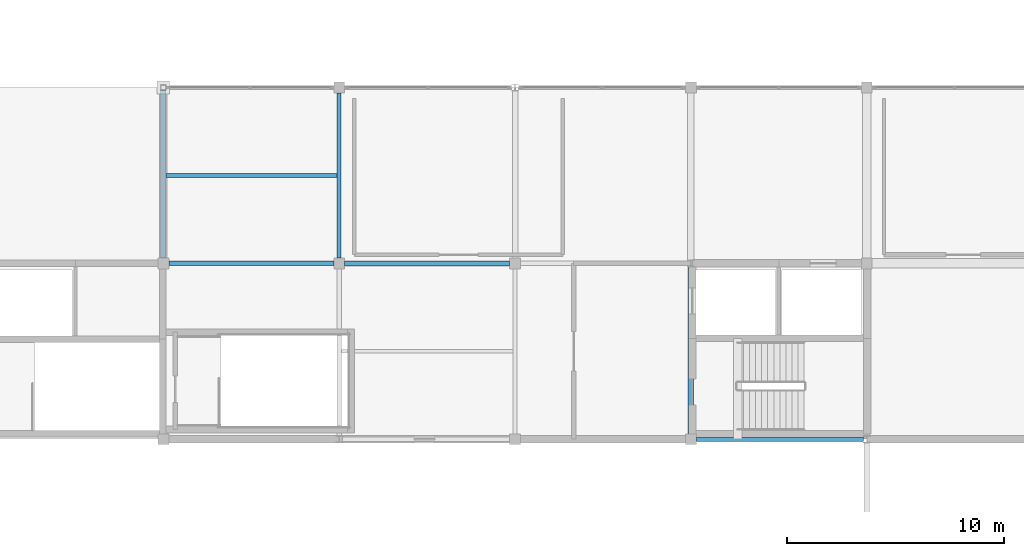
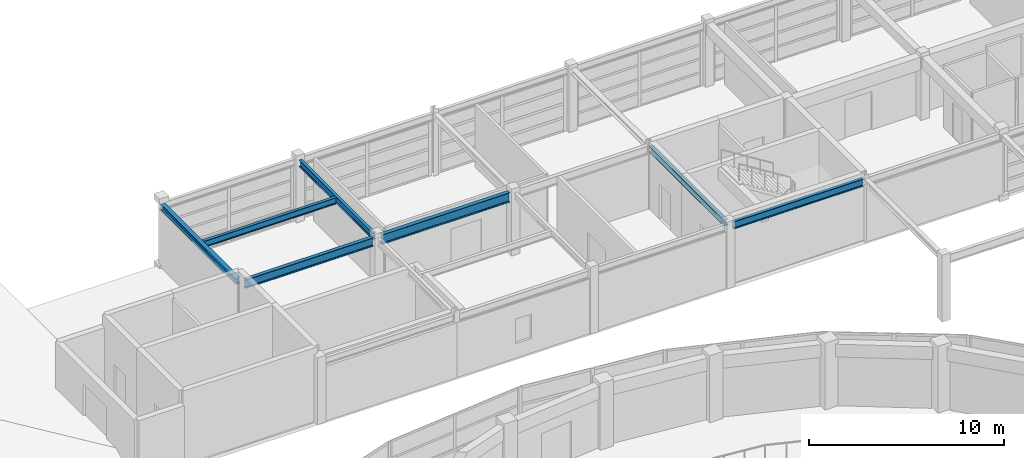
# One storey, part 26 of 54: 7 beams.
"""IFC4 building model written with IfcOpenShell, lengths in metres."""

from ifc_helpers import new_model, si_unit, direction, frame, origin, origin_2d, place, context, subcontext, project, spatial, i_section, extrude, material, material_profile, profile_set, type_object, element, save


model = new_model("IFC4")

# Units and contexts
model_context = context("Model", 3, precision=1e-05, world=origin(), true_north=direction((0.0, 1.0)))
body_context = subcontext(model_context, "Body", "Model", "MODEL_VIEW")
ifc_project = project(units=[si_unit("LENGTHUNIT", "METRE"), si_unit("AREAUNIT", "SQUARE_METRE"), si_unit("VOLUMEUNIT", "CUBIC_METRE"), si_unit("PLANEANGLEUNIT", "RADIAN"), si_unit("MASSUNIT", "GRAM", prefix="KILO")], contexts=[model_context])

# Site, building, storey
site_placement = place(None, origin())
site = spatial("IfcSite", under=ifc_project, at=site_placement, CompositionType="ELEMENT")
building_placement = place(site_placement, origin())
building = spatial("IfcBuilding", under=site, at=building_placement, Name="Parian Resonance Hall", CompositionType="ELEMENT")
storey_placement = place(building_placement, frame((0.0, 0.0, 15.0)))
storey = spatial("IfcBuildingStorey", under=building, at=storey_placement, Name="L03", CompositionType="ELEMENT", Elevation=15.0)

# Beams
ifc_material_1 = material(Name="Steel S355", Category="steel")
ifc_material_profile_1 = material_profile(ifc_material_1, i_section(OverallWidth=0.178955078125, OverallDepth=0.409912109375, WebThickness=0.0087890625, FlangeThickness=0.014404296875, FilletRadius=0.01513671875, at=origin_2d()), Name="W410x67")
ifc_profile_set_1 = profile_set([ifc_material_profile_1], Name="Steel S355")
beam_type_1 = type_object("IfcBeamType", Name="AL1 W410x67", PredefinedType="BEAM", material=ifc_profile_set_1)
beam_1_placement = place(storey_placement, frame((32.527587890625, 85.050048828125, 3.705078125), z_axis=(1.0, 0.0, 0.0), x_axis=(0.0, 1.0, 0.0)))
element("IfcBeam", 1, at=beam_1_placement, inside=storey, type_object=beam_type_1, Name="JS-L03-0916", PredefinedType="BEAM", context=body_context, shape_type="SweptSolid", body=[
    extrude(i_section(OverallWidth=0.178955078125, OverallDepth=0.409912109375, WebThickness=0.0087890625, FlangeThickness=0.014404296875, FilletRadius=0.01513671875, at=origin_2d()), origin(), (0.0, 0.0, 1.0), 7.8818359375),
])
ifc_material_2 = material(Name="Steel S355", Category="steel")
ifc_material_profile_2 = material_profile(ifc_material_2, i_section(OverallWidth=0.2548828125, OverallDepth=0.35693359375, WebThickness=0.010498046875, FlangeThickness=0.018310546875, FilletRadius=0.01513671875, at=origin_2d()), Name="W360x101")
ifc_profile_set_2 = profile_set([ifc_material_profile_2], Name="Steel S355")
beam_type_2 = type_object("IfcBeamType", Name="BM-W360x101", PredefinedType="SPANDREL", material=ifc_profile_set_2)
beam_2_placement = place(storey_placement, frame((32.39990234375, 81.25, 3.7314453125), z_axis=(0.0, 1.0, 0.0), x_axis=(-1.0, 0.0, 0.0)))
element("IfcBeam", 2, at=beam_2_placement, inside=storey, type_object=beam_type_2, Name="GY-L03-0865", PredefinedType="SPANDREL", context=body_context, shape_type="SweptSolid", body=[
    extrude(i_section(OverallWidth=0.2548828125, OverallDepth=0.35693359375, WebThickness=0.010498046875, FlangeThickness=0.018310546875, FilletRadius=0.01513671875, at=origin_2d()), origin(), (0.0, 0.0, 1.0), 7.72509765625),
])
beam_3_placement = place(storey_placement, frame((56.699951171875, 73.14990234375, 3.781494140625), z_axis=(0.0, 1.0, 0.0), x_axis=(-1.0, 0.0, 0.0)))
element("IfcBeam", 3, at=beam_3_placement, inside=storey, type_object=beam_type_2, Name="GY-L03-0870", PredefinedType="SPANDREL", context=body_context, shape_type="SweptSolid", body=[
    extrude(i_section(OverallWidth=0.2548828125, OverallDepth=0.35693359375, WebThickness=0.010498046875, FlangeThickness=0.018310546875, FilletRadius=0.01513671875, at=origin_2d()), origin(), (0.0, 0.0, 1.0), 7.696044921875),
])
ifc_material_3 = material(Name="Steel S355", Category="steel")
ifc_material_profile_3 = material_profile(ifc_material_3, i_section(OverallWidth=0.180908203125, OverallDepth=0.4169921875, WebThickness=0.010986328125, FlangeThickness=0.018310546875, FilletRadius=0.01513671875, at=origin_2d()), Name="W410x85")
ifc_profile_set_3 = profile_set([ifc_material_profile_3], Name="Steel S355")
beam_type_3 = type_object("IfcBeamType", Name="BM-W410x85", PredefinedType="SPANDREL", material=ifc_profile_set_3)
beam_4_placement = place(storey_placement, frame((40.5, 81.25, 3.701416015625), z_axis=(0.0, 1.0, 0.0), x_axis=(-1.0, 0.0, 0.0)))
element("IfcBeam", 4, at=beam_4_placement, inside=storey, type_object=beam_type_3, Name="GY-L03-0867", PredefinedType="SPANDREL", context=body_context, shape_type="SweptSolid", body=[
    extrude(i_section(OverallWidth=0.180908203125, OverallDepth=0.4169921875, WebThickness=0.010986328125, FlangeThickness=0.018310546875, FilletRadius=0.01513671875, at=origin_2d()), origin(), (0.0, 0.0, 1.0), 7.60009765625),
])
ifc_material_4 = material(Name="Steel S355", Category="steel")
ifc_material_profile_4 = material_profile(ifc_material_4, i_section(OverallWidth=0.194091796875, OverallDepth=0.468994140625, WebThickness=0.0126953125, FlangeThickness=0.0205078125, FilletRadius=0.01513671875, at=origin_2d()), Name="W460x106")
ifc_profile_set_4 = profile_set([ifc_material_profile_4], Name="Steel S355")
beam_type_4 = type_object("IfcBeamType", Name="BM-W460x106", PredefinedType="SPANDREL", material=ifc_profile_set_4)
beam_5_placement = place(storey_placement, frame((56.949951171875, 72.89990234375, 3.7255859375), z_axis=(1.0, 0.0, 0.0), x_axis=(0.0, 1.0, 0.0)))
element("IfcBeam", 5, at=beam_5_placement, inside=storey, type_object=beam_type_4, Name="GX-L03-0822", PredefinedType="SPANDREL", context=body_context, shape_type="SweptSolid", body=[
    extrude(i_section(OverallWidth=0.194091796875, OverallDepth=0.468994140625, WebThickness=0.0126953125, FlangeThickness=0.0205078125, FilletRadius=0.01513671875, at=origin_2d()), origin(), (0.0, 0.0, 1.0), 7.697509765625),
])
ifc_material_5 = material(Name="Steel S355", Category="steel")
ifc_material_profile_5 = material_profile(ifc_material_5, i_section(OverallWidth=0.2119140625, OverallDepth=0.5439453125, WebThickness=0.01318359375, FlangeThickness=0.021240234375, FilletRadius=0.017822265625, at=origin_2d()), Name="W530x123")
ifc_profile_set_5 = profile_set([ifc_material_profile_5], Name="Steel S355")
beam_type_5 = type_object("IfcBeamType", Name="BM-W530x123", PredefinedType="USERDEFINED", material=ifc_profile_set_5)
beam_6_placement = place(storey_placement, frame((32.64990234375, 81.0, 3.637939453125), z_axis=(1.0, 0.0, 0.0), x_axis=(0.0, 1.0, 0.0)))
element("IfcBeam", 6, at=beam_6_placement, inside=storey, type_object=beam_type_5, Name="GX-L03-0814", ObjectType="GIRDER", PredefinedType="USERDEFINED", context=body_context, shape_type="SweptSolid", body=[
    extrude(i_section(OverallWidth=0.2119140625, OverallDepth=0.5439453125, WebThickness=0.01318359375, FlangeThickness=0.021240234375, FilletRadius=0.017822265625, at=origin_2d()), origin(), (0.0, 0.0, 1.0), 7.60009765625),
])
ifc_material_6 = material(Name="Steel S355", Category="steel")
ifc_material_profile_6 = material_profile(ifc_material_6, i_section(OverallWidth=0.22802734375, OverallDepth=0.60791015625, WebThickness=0.01123046875, FlangeThickness=0.017333984375, FilletRadius=0.017822265625, at=origin_2d()), Name="W610x113")
ifc_profile_set_6 = profile_set([ifc_material_profile_6], Name="Steel S355")
beam_type_6 = type_object("IfcBeamType", Name="BM-W610x113", PredefinedType="USERDEFINED", material=ifc_profile_set_6)
beam_7_placement = place(storey_placement, frame((40.75, 81.0, 3.60595703125), z_axis=(1.0, 0.0, 0.0), x_axis=(0.0, 1.0, 0.0)))
element("IfcBeam", 7, at=beam_7_placement, inside=storey, type_object=beam_type_6, Name="GX-L03-0817", ObjectType="GIRDER", PredefinedType="USERDEFINED", context=body_context, shape_type="SweptSolid", body=[
    extrude(i_section(OverallWidth=0.22802734375, OverallDepth=0.60791015625, WebThickness=0.01123046875, FlangeThickness=0.017333984375, FilletRadius=0.017822265625, at=origin_2d()), origin(), (0.0, 0.0, 1.0), 7.60009765625),
])

save(model, "model.ifc")
